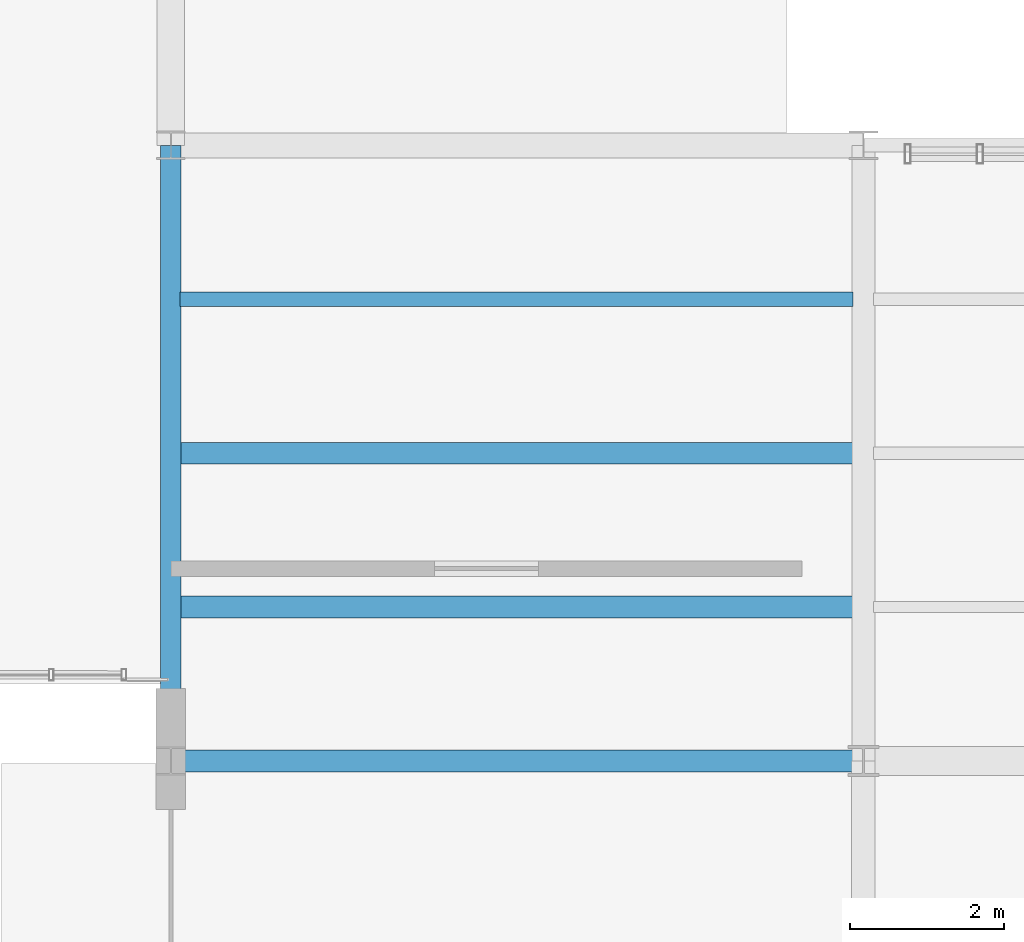
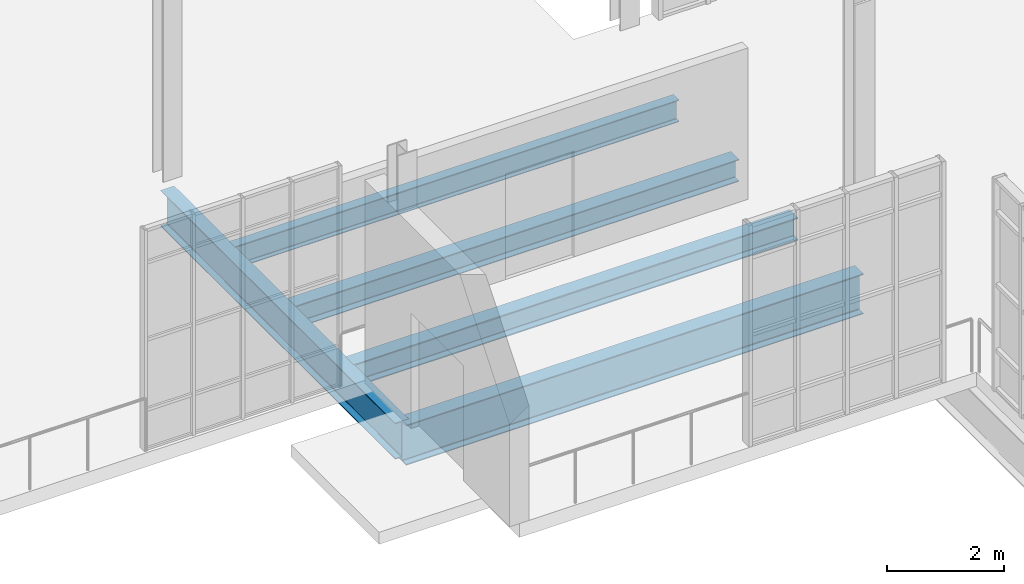
# One storey, part 70 of 189: 5 beams.
"""IFC4 building model written with IfcOpenShell, lengths in metres."""

from ifc_helpers import new_model, si_unit, direction, frame, origin, origin_2d, place, context, subcontext, project, spatial, i_section, extrude, material, material_profile, profile_set, type_object, element, save


model = new_model("IFC4")

# Units and contexts
model_context = context("Model", 3, precision=1e-05, world=origin(), true_north=direction((0.0, 1.0)))
body_context = subcontext(model_context, "Body", "Model", "MODEL_VIEW")
ifc_project = project(units=[si_unit("LENGTHUNIT", "METRE"), si_unit("AREAUNIT", "SQUARE_METRE"), si_unit("VOLUMEUNIT", "CUBIC_METRE"), si_unit("PLANEANGLEUNIT", "RADIAN"), si_unit("MASSUNIT", "GRAM", prefix="KILO"), si_unit("THERMODYNAMICTEMPERATUREUNIT", "KELVIN"), si_unit("POWERUNIT", "WATT")], contexts=[model_context])

# Site, building, storey
site_placement = place(None, origin())
site = spatial("IfcSite", under=ifc_project, at=site_placement, CompositionType="ELEMENT")
building_placement = place(site_placement, origin())
building = spatial("IfcBuilding", under=site, at=building_placement, Name="Zelmaris Science Centre", CompositionType="ELEMENT")
storey_placement = place(building_placement, origin())
storey = spatial("IfcBuildingStorey", under=building, at=storey_placement, Name="L00", CompositionType="ELEMENT", Elevation=0.0)

# Beams
ifc_material = material(Name="Steel ASTM A992 Grade 50", Category="steel")
ifc_material_profile_1 = material_profile(ifc_material, i_section(OverallWidth=0.2919921875, OverallDepth=0.8359375, WebThickness=0.013916015625, FlangeThickness=0.018798828125, FilletRadius=0.02001953125, at=origin_2d()), Name="W33X118")
ifc_profile_set_1 = profile_set([ifc_material_profile_1], Name="Steel ASTM A992 Grade 50")
beam_type_1 = type_object("IfcBeamType", Name="Beam G-30 W33X118", PredefinedType="BEAM", material=ifc_profile_set_1)
beam_1_placement = place(storey_placement, frame((108.0, 48.0, -0.7080078125), z_axis=(1.0, 0.0, 0.0), x_axis=(0.0, 1.0, 0.0)))
element("IfcBeam", 1, at=beam_1_placement, inside=storey, type_object=beam_type_1, Name="L00 East-west girder 143", PredefinedType="BEAM", context=body_context, shape_type="SweptSolid", body=[
    extrude(i_section(OverallWidth=0.2919921875, OverallDepth=0.8359375, WebThickness=0.013916015625, FlangeThickness=0.018798828125, FilletRadius=0.02001953125, at=origin_2d()), origin(), (0.0, 0.0, 1.0), 9.0),
])
ifc_material_profile_2 = material_profile(ifc_material, i_section(OverallWidth=0.26708984375, OverallDepth=0.75390625, WebThickness=0.01318359375, FlangeThickness=0.01708984375, FilletRadius=0.01904296875, at=origin_2d()), Name="W30X99")
ifc_profile_set_2 = profile_set([ifc_material_profile_2], Name="Steel ASTM A992 Grade 50")
beam_type_2 = type_object("IfcBeamType", Name="Beam G-34 W30X99", PredefinedType="BEAM", material=ifc_profile_set_2)
beam_2_placement = place(storey_placement, frame((108.0, 48.0, -0.6669921875), z_axis=(0.0, 1.0, 0.0), x_axis=(-1.0, 0.0, 0.0)))
element("IfcBeam", 2, at=beam_2_placement, inside=storey, type_object=beam_type_2, Name="L00 North-south girder 54", PredefinedType="BEAM", context=body_context, shape_type="SweptSolid", body=[
    extrude(i_section(OverallWidth=0.26708984375, OverallDepth=0.75390625, WebThickness=0.01318359375, FlangeThickness=0.01708984375, FilletRadius=0.01904296875, at=origin_2d()), origin(), (0.0, 0.0, 1.0), 8.0),
])
ifc_material_profile_3 = material_profile(ifc_material, i_section(OverallWidth=0.281982421875, OverallDepth=0.471923828125, WebThickness=0.013671875, FlangeThickness=0.022216796875, FilletRadius=0.012939453125, at=origin_2d()), Name="W18X97")
ifc_profile_set_3 = profile_set([ifc_material_profile_3], Name="Steel ASTM A992 Grade 50")
beam_type_3 = type_object("IfcBeamType", Name="Beam J-02 W18X97", PredefinedType="JOIST", material=ifc_profile_set_3)
beam_3_placement = place(storey_placement, frame((108.118408203125, 50.0, -0.52587890625), z_axis=(1.0, 0.0, 0.0), x_axis=(0.0, 1.0, 0.0)))
element("IfcBeam", 3, at=beam_3_placement, inside=storey, type_object=beam_type_3, Name="L00 Composite floor joist 73", PredefinedType="JOIST", context=body_context, shape_type="SweptSolid", body=[
    extrude(i_section(OverallWidth=0.281982421875, OverallDepth=0.471923828125, WebThickness=0.013671875, FlangeThickness=0.022216796875, FilletRadius=0.012939453125, at=origin_2d()), origin(), (0.0, 0.0, 1.0), 8.7490234375),
])
ifc_material_profile_4 = material_profile(ifc_material, i_section(OverallWidth=0.279052734375, OverallDepth=0.4619140625, WebThickness=0.0107421875, FlangeThickness=0.017333984375, FilletRadius=0.012939453125, at=origin_2d()), Name="W18X76")
ifc_profile_set_4 = profile_set([ifc_material_profile_4], Name="Steel ASTM A992 Grade 50")
beam_type_4 = type_object("IfcBeamType", Name="Beam J-03 W18X76", PredefinedType="JOIST", material=ifc_profile_set_4)
beam_4_placement = place(storey_placement, frame((108.118408203125, 52.0, -0.52099609375), z_axis=(1.0, 0.0, 0.0), x_axis=(0.0, 1.0, 0.0)))
element("IfcBeam", 4, at=beam_4_placement, inside=storey, type_object=beam_type_4, Name="L00 Composite floor joist 74", PredefinedType="JOIST", context=body_context, shape_type="SweptSolid", body=[
    extrude(i_section(OverallWidth=0.279052734375, OverallDepth=0.4619140625, WebThickness=0.0107421875, FlangeThickness=0.017333984375, FilletRadius=0.012939453125, at=origin_2d()), origin(), (0.0, 0.0, 1.0), 8.7490234375),
])
ifc_material_profile_5 = material_profile(ifc_material, i_section(OverallWidth=0.19091796875, OverallDepth=0.4599609375, WebThickness=0.010009765625, FlangeThickness=0.01611328125, FilletRadius=0.012939453125, at=origin_2d()), Name="W18X55")
ifc_profile_set_5 = profile_set([ifc_material_profile_5], Name="Steel ASTM A992 Grade 50")
beam_type_5 = type_object("IfcBeamType", Name="Beam J-04 W18X55", PredefinedType="JOIST", material=ifc_profile_set_5)
beam_5_placement = place(storey_placement, frame((108.118408203125, 54.0, -0.52001953125), z_axis=(1.0, 0.0, 0.0), x_axis=(0.0, 1.0, 0.0)))
element("IfcBeam", 5, at=beam_5_placement, inside=storey, type_object=beam_type_5, Name="L00 Composite floor joist 75", PredefinedType="JOIST", context=body_context, shape_type="SweptSolid", body=[
    extrude(i_section(OverallWidth=0.19091796875, OverallDepth=0.4599609375, WebThickness=0.010009765625, FlangeThickness=0.01611328125, FilletRadius=0.012939453125, at=origin_2d()), origin(), (0.0, 0.0, 1.0), 8.7490234375),
])

save(model, "model.ifc")
